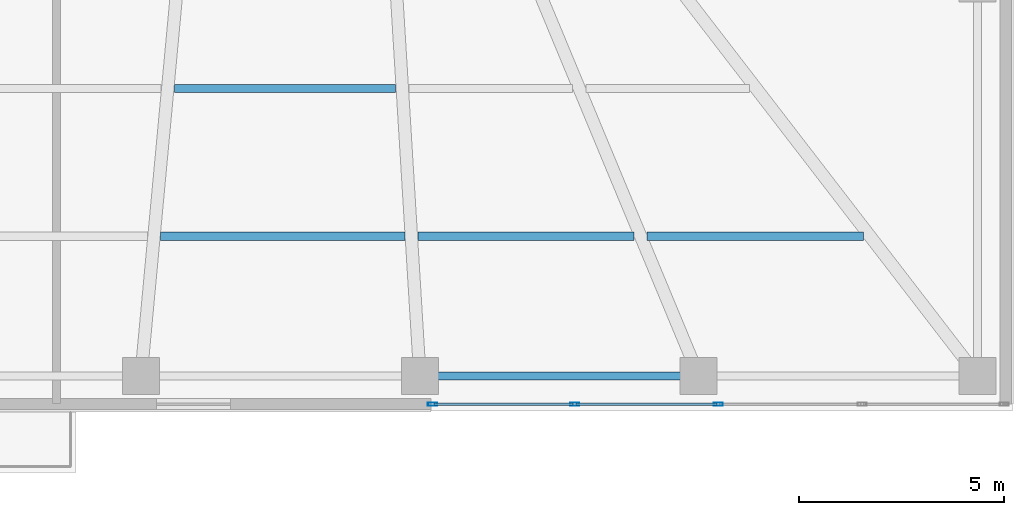
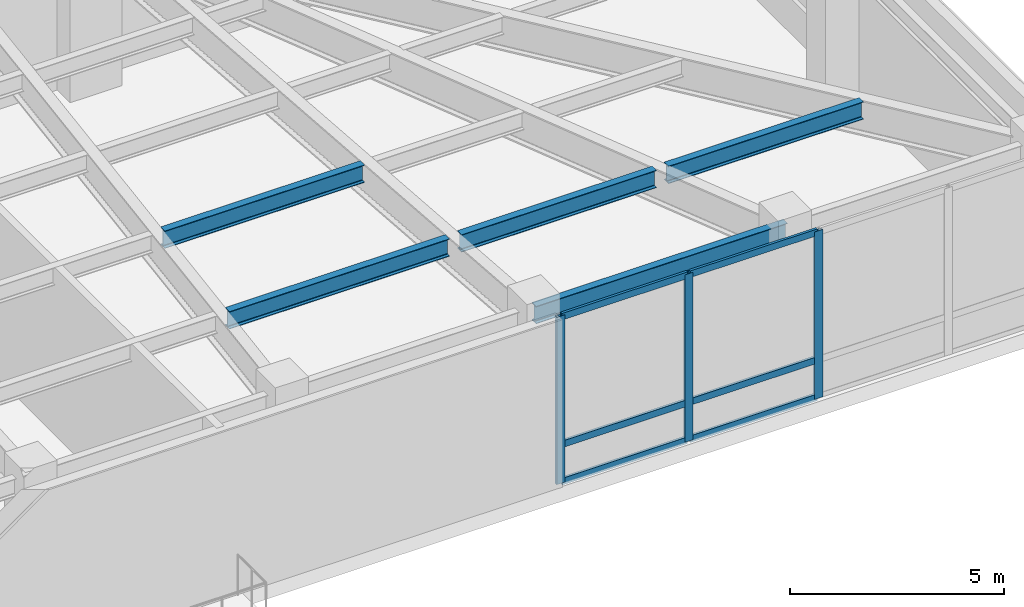
# One storey, part 4 of 15: 9 members, 5 beams, 1 element without a shape of its own.
"""IFC4 building model written with IfcOpenShell, lengths in metres."""

from ifc_helpers import new_model, si_unit, direction, frame, origin, origin_2d, place, context, subcontext, project, spatial, hollow_rectangle, i_section, extrude, material, material_profile, profile_set, type_object, element, aggregate, save


model = new_model("IFC4")

# Units and contexts
model_context = context("Model", 3, precision=1e-05, world=origin(), true_north=direction((0.0, 1.0)))
body_context = subcontext(model_context, "Body", "Model", "MODEL_VIEW")
ifc_project = project(units=[si_unit("LENGTHUNIT", "METRE"), si_unit("AREAUNIT", "SQUARE_METRE"), si_unit("VOLUMEUNIT", "CUBIC_METRE"), si_unit("PLANEANGLEUNIT", "RADIAN"), si_unit("MASSUNIT", "GRAM", prefix="KILO")], contexts=[model_context])

# Site, building, storey
site_placement = place(None, origin())
site = spatial("IfcSite", under=ifc_project, at=site_placement, CompositionType="ELEMENT")
building_placement = place(site_placement, origin())
building = spatial("IfcBuilding", under=site, at=building_placement, Name="Yelkora Congress Tower", CompositionType="ELEMENT")
storey_placement = place(building_placement, frame((0.0, 0.0, 25.199951171875)))
storey = spatial("IfcBuildingStorey", under=building, at=storey_placement, Name="L05", CompositionType="ELEMENT", Elevation=25.199951171875)

# Beams
ifc_material_1 = material(Name="Steel S355J2", Category="steel")
ifc_material_profile_1 = material_profile(ifc_material_1, i_section(OverallWidth=0.199951171875, OverallDepth=0.5, WebThickness=0.01025390625, FlangeThickness=0.01611328125, FilletRadius=0.02099609375, at=origin_2d()), Name="IPE 500")
ifc_profile_set_1 = profile_set([ifc_material_profile_1], Name="Steel S355J2")
beam_type_1 = type_object("IfcBeamType", Name="BM-JOIST-IPE500", PredefinedType="JOIST", material=ifc_profile_set_1)
beam_1_placement = place(storey_placement, frame((52.4560546875, 9.449951171875, 4.530029296875), z_axis=(1.0, 0.0, 0.0), x_axis=(0.0, 1.0, 0.0)))
element("IfcBeam", 1, at=beam_1_placement, inside=storey, type_object=beam_type_1, Name="L05 Composite Floor Joist 8", PredefinedType="JOIST", context=body_context, shape_type="SweptSolid", body=[
    extrude(i_section(OverallWidth=0.199951171875, OverallDepth=0.5, WebThickness=0.01025390625, FlangeThickness=0.01611328125, FilletRadius=0.02099609375, at=origin_2d()), origin(), (0.0, 0.0, 1.0), 5.9462890625),
])
beam_2_placement = place(storey_placement, frame((58.722412109375, 9.449951171875, 4.530029296875), z_axis=(1.0, 0.0, 0.0), x_axis=(0.0, 1.0, 0.0)))
element("IfcBeam", 2, at=beam_2_placement, inside=storey, type_object=beam_type_1, Name="L05 Composite Floor Joist 9", PredefinedType="JOIST", context=body_context, shape_type="SweptSolid", body=[
    extrude(i_section(OverallWidth=0.199951171875, OverallDepth=0.5, WebThickness=0.01025390625, FlangeThickness=0.01611328125, FilletRadius=0.02099609375, at=origin_2d()), origin(), (0.0, 0.0, 1.0), 5.264404296875),
])
beam_3_placement = place(storey_placement, frame((64.306640625, 9.449951171875, 4.530029296875), z_axis=(1.0, 0.0, 0.0), x_axis=(0.0, 1.0, 0.0)))
element("IfcBeam", 3, at=beam_3_placement, inside=storey, type_object=beam_type_1, Name="L05 Composite Floor Joist 10", PredefinedType="JOIST", context=body_context, shape_type="SweptSolid", body=[
    extrude(i_section(OverallWidth=0.199951171875, OverallDepth=0.5, WebThickness=0.01025390625, FlangeThickness=0.01611328125, FilletRadius=0.02099609375, at=origin_2d()), origin(), (0.0, 0.0, 1.0), 5.2646484375),
])
beam_4_placement = place(storey_placement, frame((52.790771484375, 13.050048828125, 4.530029296875), z_axis=(1.0, 0.0, 0.0), x_axis=(0.0, 1.0, 0.0)))
element("IfcBeam", 4, at=beam_4_placement, inside=storey, type_object=beam_type_1, Name="L05 Composite Floor Joist 18", PredefinedType="JOIST", context=body_context, shape_type="SweptSolid", body=[
    extrude(i_section(OverallWidth=0.199951171875, OverallDepth=0.5, WebThickness=0.01025390625, FlangeThickness=0.01611328125, FilletRadius=0.02099609375, at=origin_2d()), origin(), (0.0, 0.0, 1.0), 5.3916015625),
])
ifc_material_profile_2 = material_profile(ifc_material_1, i_section(OverallWidth=0.199951171875, OverallDepth=0.5, WebThickness=0.01025390625, FlangeThickness=0.01611328125, FilletRadius=0.02099609375, at=origin_2d()), Name="IPE 500")
ifc_profile_set_2 = profile_set([ifc_material_profile_2], Name="Steel S355J2")
beam_type_2 = type_object("IfcBeamType", Name="BM-SPAN-IPE500", PredefinedType="SPANDREL", material=ifc_profile_set_2)
beam_5_placement = place(storey_placement, frame((58.77001953125, 6.050048828125, 4.530029296875), z_axis=(1.0, 0.0, 0.0), x_axis=(0.0, 1.0, 0.0)))
element("IfcBeam", 5, at=beam_5_placement, inside=storey, type_object=beam_type_2, Name="L05 Perimeter Beam 10", PredefinedType="SPANDREL", context=body_context, shape_type="SweptSolid", body=[
    extrude(i_section(OverallWidth=0.199951171875, OverallDepth=0.5, WebThickness=0.01025390625, FlangeThickness=0.01611328125, FilletRadius=0.02099609375, at=origin_2d()), origin(), (0.0, 0.0, 1.0), 6.7900390625),
])

# Curtain wall, members
ifc_material_2 = material(Name="Anodised aluminium and insulated glass", Category="aluminium")
curtain_wall_type = type_object("IfcCurtainWallType", Name="CW-SYS-POD", PredefinedType="NOTDEFINED", material=ifc_material_2)
curtain_wall_placement = place(storey_placement, origin())
curtain_wall = element("IfcCurtainWall", 6, at=curtain_wall_placement, inside=storey, type_object=curtain_wall_type, Name="L05 Podium Curtain Wall East", PredefinedType="NOTDEFINED")
ifc_material_3 = material(Name="Anodised aluminium 6063-T6", Category="aluminium")
ifc_material_profile_3 = material_profile(ifc_material_3, hollow_rectangle(XDim=0.074951171875, YDim=0.219970703125, WallThickness=0.0048828125, at=origin_2d()), Name="ALU 75x220x5")
ifc_profile_set_3 = profile_set([ifc_material_profile_3], Name="Anodised aluminium 6063-T6")
member_type_1 = type_object("IfcMemberType", Name="MEM-ML-POD", PredefinedType="MULLION", material=ifc_profile_set_3)
member_1_placement = place(storey_placement, frame((59.077392578125, 5.360107421875, 0.0), z_axis=(0.0, 0.0, 1.0), x_axis=(0.0, 1.0, 0.0)))
member_1 = element("IfcMember", 7, at=member_1_placement, type_object=member_type_1, Name="CW-POD mullion 1", PredefinedType="MULLION", context=body_context, shape_type="SweptSolid", body=[
    extrude(hollow_rectangle(XDim=0.074951171875, YDim=0.219970703125, WallThickness=0.0048828125, at=origin_2d()), origin(), (0.0, 0.0, 1.0), 4.780029296875),
])
member_2_placement = place(storey_placement, frame((62.5400390625, 5.360107421875, 0.0), z_axis=(0.0, 0.0, 1.0), x_axis=(0.0, 1.0, 0.0)))
member_2 = element("IfcMember", 8, at=member_2_placement, type_object=member_type_1, Name="CW-POD mullion 2", PredefinedType="MULLION", context=body_context, shape_type="SweptSolid", body=[
    extrude(hollow_rectangle(XDim=0.074951171875, YDim=0.219970703125, WallThickness=0.0048828125, at=origin_2d()), origin(), (0.0, 0.0, 1.0), 4.780029296875),
])
member_3_placement = place(storey_placement, frame((66.0400390625, 5.360107421875, 0.0), z_axis=(0.0, 0.0, 1.0), x_axis=(0.0, 1.0, 0.0)))
member_3 = element("IfcMember", 9, at=member_3_placement, type_object=member_type_1, Name="CW-POD mullion 3", PredefinedType="MULLION", context=body_context, shape_type="SweptSolid", body=[
    extrude(hollow_rectangle(XDim=0.074951171875, YDim=0.219970703125, WallThickness=0.0048828125, at=origin_2d()), origin(), (0.0, 0.0, 1.0), 4.780029296875),
])
ifc_material_profile_4 = material_profile(ifc_material_3, hollow_rectangle(XDim=0.070068359375, YDim=0.18994140625, WallThickness=0.00390625, at=origin_2d()), Name="ALU 70x190x4")
ifc_profile_set_4 = profile_set([ifc_material_profile_4], Name="Anodised aluminium 6063-T6")
member_type_2 = type_object("IfcMemberType", Name="MEM-TR-POD", PredefinedType="USERDEFINED", material=ifc_profile_set_4)
member_4_placement = place(storey_placement, frame((59.114990234375, 5.360107421875, 0.03515625), z_axis=(1.0, 0.0, 0.0), x_axis=(0.0, 1.0, 0.0)))
member_4 = element("IfcMember", 10, at=member_4_placement, type_object=member_type_2, Name="CW-POD transom 1.1", ObjectType="TRANSOM", PredefinedType="USERDEFINED", context=body_context, shape_type="SweptSolid", body=[
    extrude(hollow_rectangle(XDim=0.070068359375, YDim=0.18994140625, WallThickness=0.00390625, at=origin_2d()), origin(), (0.0, 0.0, 1.0), 3.387451171875),
])
member_5_placement = place(storey_placement, frame((59.114990234375, 5.360107421875, 1.10009765625), z_axis=(1.0, 0.0, 0.0), x_axis=(0.0, 1.0, 0.0)))
member_5 = element("IfcMember", 11, at=member_5_placement, type_object=member_type_2, Name="CW-POD transom 1.2", ObjectType="TRANSOM", PredefinedType="USERDEFINED", context=body_context, shape_type="SweptSolid", body=[
    extrude(hollow_rectangle(XDim=0.070068359375, YDim=0.18994140625, WallThickness=0.00390625, at=origin_2d()), origin(), (0.0, 0.0, 1.0), 3.387451171875),
])
member_6_placement = place(storey_placement, frame((59.114990234375, 5.360107421875, 4.7451171875), z_axis=(1.0, 0.0, 0.0), x_axis=(0.0, 1.0, 0.0)))
member_6 = element("IfcMember", 12, at=member_6_placement, type_object=member_type_2, Name="CW-POD transom 1.3", ObjectType="TRANSOM", PredefinedType="USERDEFINED", context=body_context, shape_type="SweptSolid", body=[
    extrude(hollow_rectangle(XDim=0.070068359375, YDim=0.18994140625, WallThickness=0.00390625, at=origin_2d()), origin(), (0.0, 0.0, 1.0), 3.387451171875),
])
member_7_placement = place(storey_placement, frame((62.577392578125, 5.360107421875, 0.03515625), z_axis=(1.0, 0.0, 0.0), x_axis=(0.0, 1.0, 0.0)))
member_7 = element("IfcMember", 13, at=member_7_placement, type_object=member_type_2, Name="CW-POD transom 2.1", ObjectType="TRANSOM", PredefinedType="USERDEFINED", context=body_context, shape_type="SweptSolid", body=[
    extrude(hollow_rectangle(XDim=0.070068359375, YDim=0.18994140625, WallThickness=0.00390625, at=origin_2d()), origin(), (0.0, 0.0, 1.0), 3.425048828125),
])
member_8_placement = place(storey_placement, frame((62.577392578125, 5.360107421875, 1.10009765625), z_axis=(1.0, 0.0, 0.0), x_axis=(0.0, 1.0, 0.0)))
member_8 = element("IfcMember", 14, at=member_8_placement, type_object=member_type_2, Name="CW-POD transom 2.2", ObjectType="TRANSOM", PredefinedType="USERDEFINED", context=body_context, shape_type="SweptSolid", body=[
    extrude(hollow_rectangle(XDim=0.070068359375, YDim=0.18994140625, WallThickness=0.00390625, at=origin_2d()), origin(), (0.0, 0.0, 1.0), 3.425048828125),
])
member_9_placement = place(storey_placement, frame((62.577392578125, 5.360107421875, 4.7451171875), z_axis=(1.0, 0.0, 0.0), x_axis=(0.0, 1.0, 0.0)))
member_9 = element("IfcMember", 15, at=member_9_placement, type_object=member_type_2, Name="CW-POD transom 2.3", ObjectType="TRANSOM", PredefinedType="USERDEFINED", context=body_context, shape_type="SweptSolid", body=[
    extrude(hollow_rectangle(XDim=0.070068359375, YDim=0.18994140625, WallThickness=0.00390625, at=origin_2d()), origin(), (0.0, 0.0, 1.0), 3.425048828125),
])
aggregate(curtain_wall, [member_1, member_2, member_3, member_4, member_5, member_6, member_7, member_8, member_9])

save(model, "model.ifc")
